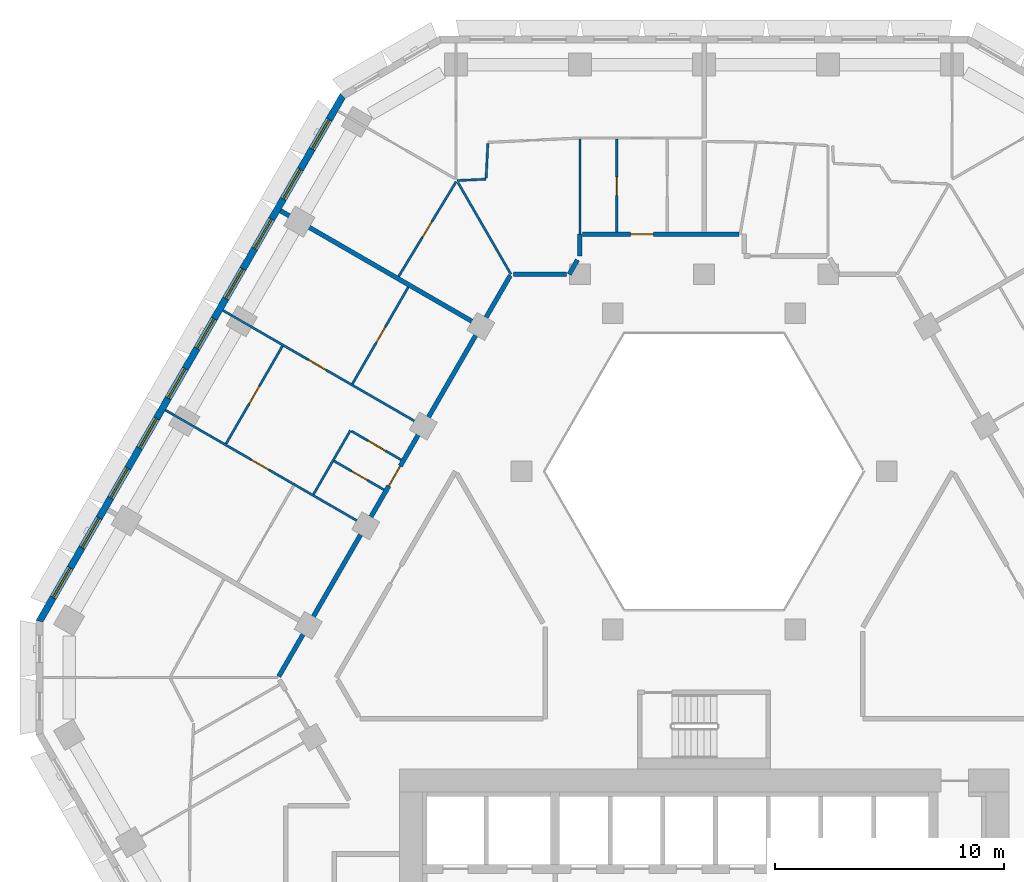
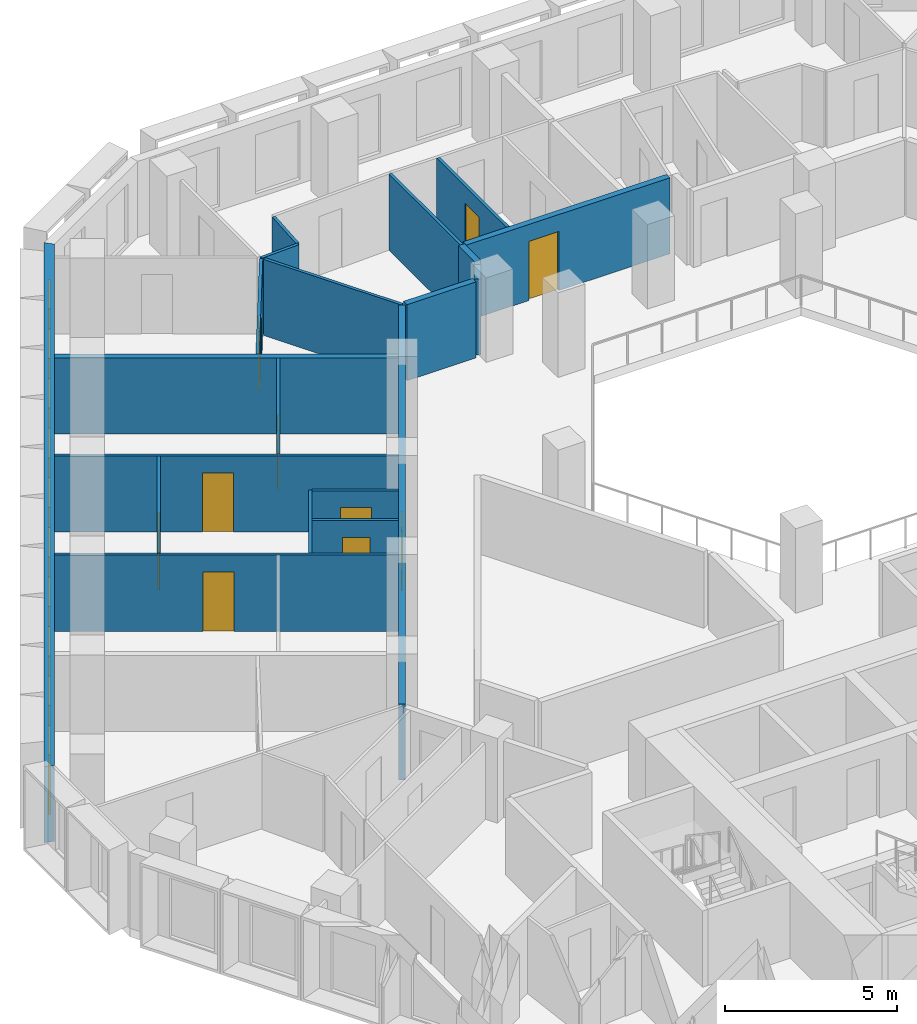
# One storey, part 8 of 18: 20 walls, 10 doors, 10 windows, 20 openings.
"""IFC4 building model written with IfcOpenShell, lengths in metres."""

from ifc_helpers import new_model, si_unit, direction, frame, frame_2d, origin, place, context, subcontext, project, spatial, polyline, rectangle, outline, extrude, material, layer, layer_set, type_object, element, fill, save


model = new_model("IFC4")

# Units and contexts
model_context = context("Model", 3, precision=1e-05, world=origin(), true_north=direction((0.0, 1.0)))
body_context = subcontext(model_context, "Body", "Model", "MODEL_VIEW")
ifc_project = project(units=[si_unit("LENGTHUNIT", "METRE"), si_unit("AREAUNIT", "SQUARE_METRE"), si_unit("VOLUMEUNIT", "CUBIC_METRE"), si_unit("PLANEANGLEUNIT", "RADIAN"), si_unit("MASSUNIT", "GRAM", prefix="KILO")], contexts=[model_context])

# Site, building, storey
site_placement = place(None, origin())
site = spatial("IfcSite", under=ifc_project, at=site_placement, CompositionType="ELEMENT")
building_placement = place(site_placement, origin())
building = spatial("IfcBuilding", under=site, at=building_placement, Name="Beryl Residences", CompositionType="ELEMENT")
storey_placement = place(building_placement, frame((0.0, 0.0, 87.0)))
storey = spatial("IfcBuildingStorey", under=building, at=storey_placement, Name="L26", CompositionType="ELEMENT", Elevation=87.0)

# Wall, openings, windows
ifc_material_1 = material(Name="Composite metal panel with mineral wool insulation")
ifc_layer_1 = layer(ifc_material_1, 0.300048828125)
ifc_layer_set_1 = layer_set([ifc_layer_1], Name="ES1 pale metal composite panel wall 300 mm")
wall_type_1 = type_object("IfcWallType", Name="ES1 pale metal composite panel wall 300 mm", PredefinedType="SOLIDWALL", material=ifc_layer_set_1)
wall_1_placement = place(storey_placement, frame((-15.7470703125, 24.425048828125, 0.0), z_axis=(0.0, 0.0, 1.0), x_axis=(-0.500027479704, -0.866009537788, 0.0)))
wall_1 = element("IfcWall", 1, at=wall_1_placement, inside=storey, type_object=wall_type_1, Name="ES1 external wall L26 NW", PredefinedType="SOLIDWALL", context=body_context, shape_type="SweptSolid", body=[
    extrude(outline(polyline([(0.0, -0.14990234375), (26.55859375, -0.14990234375), (26.478271484375, 0.14990234375), (0.080322265625, 0.14990234375), (0.0, -0.14990234375)])), origin(), (0.0, 0.0, 1.0), 2.699951171875),
])
opening_1_placement = place(wall_1_placement, frame((1.22705078125, 0.0, 0.14990234375)))
opening_1 = element("IfcOpeningElement", 2, at=opening_1_placement, cuts=wall_1, Name="Opening W1", PredefinedType="OPENING", context=body_context, shape_type="SweptSolid", body=[
    extrude(rectangle(XDim=1.5, YDim=2.10009765625, at=frame_2d((0.75, 1.050048828125))), frame((0.0, 0.159912109375, 0.0), z_axis=(0.0, -1.0, 0.0), x_axis=(1.0, 0.0, 0.0)), (0.0, 0.0, 1.0), 0.320068359375),
])
opening_2_placement = place(wall_1_placement, frame((3.739013671875, 0.0, 0.14990234375)))
opening_2 = element("IfcOpeningElement", 3, at=opening_2_placement, cuts=wall_1, Name="Opening W1", PredefinedType="OPENING", context=body_context, shape_type="SweptSolid", body=[
    extrude(rectangle(XDim=1.5, YDim=2.10009765625, at=frame_2d((0.75, 1.050048828125))), frame((0.0, 0.159912109375, 0.0), z_axis=(0.0, -1.0, 0.0), x_axis=(1.0, 0.0, 0.0)), (0.0, 0.0, 1.0), 0.320068359375),
])
opening_3_placement = place(wall_1_placement, frame((6.25, 0.0, 0.14990234375)))
opening_3 = element("IfcOpeningElement", 4, at=opening_3_placement, cuts=wall_1, Name="Opening W1", PredefinedType="OPENING", context=body_context, shape_type="SweptSolid", body=[
    extrude(rectangle(XDim=1.5, YDim=2.10009765625, at=frame_2d((0.75, 1.050048828125))), frame((0.0, 0.159912109375, 0.0), z_axis=(0.0, -1.0, 0.0), x_axis=(1.0, 0.0, 0.0)), (0.0, 0.0, 1.0), 0.320068359375),
])
opening_4_placement = place(wall_1_placement, frame((8.760986328125, 0.0, 0.14990234375)))
opening_4 = element("IfcOpeningElement", 5, at=opening_4_placement, cuts=wall_1, Name="Opening W1", PredefinedType="OPENING", context=body_context, shape_type="SweptSolid", body=[
    extrude(rectangle(XDim=1.5, YDim=2.10009765625, at=frame_2d((0.75, 1.050048828125))), frame((0.0, 0.159912109375, 0.0), z_axis=(0.0, -1.0, 0.0), x_axis=(1.0, 0.0, 0.0)), (0.0, 0.0, 1.0), 0.320068359375),
])
opening_5_placement = place(wall_1_placement, frame((11.27294921875, 0.0, 0.14990234375)))
opening_5 = element("IfcOpeningElement", 6, at=opening_5_placement, cuts=wall_1, Name="Opening W1", PredefinedType="OPENING", context=body_context, shape_type="SweptSolid", body=[
    extrude(rectangle(XDim=1.5, YDim=2.10009765625, at=frame_2d((0.75, 1.050048828125))), frame((0.0, 0.159912109375, 0.0), z_axis=(0.0, -1.0, 0.0), x_axis=(1.0, 0.0, 0.0)), (0.0, 0.0, 1.0), 0.320068359375),
])
opening_6_placement = place(wall_1_placement, frame((13.784912109375, 0.0, 0.14990234375)))
opening_6 = element("IfcOpeningElement", 7, at=opening_6_placement, cuts=wall_1, Name="Opening W1", PredefinedType="OPENING", context=body_context, shape_type="SweptSolid", body=[
    extrude(rectangle(XDim=1.5, YDim=2.10009765625, at=frame_2d((0.75, 1.050048828125))), frame((0.0, 0.159912109375, 0.0), z_axis=(0.0, -1.0, 0.0), x_axis=(1.0, 0.0, 0.0)), (0.0, 0.0, 1.0), 0.320068359375),
])
opening_7_placement = place(wall_1_placement, frame((16.2958984375, 0.0, 0.14990234375)))
opening_7 = element("IfcOpeningElement", 8, at=opening_7_placement, cuts=wall_1, Name="Opening W1", PredefinedType="OPENING", context=body_context, shape_type="SweptSolid", body=[
    extrude(rectangle(XDim=1.5, YDim=2.10009765625, at=frame_2d((0.75, 1.050048828125))), frame((0.0, 0.159912109375, 0.0), z_axis=(0.0, -1.0, 0.0), x_axis=(1.0, 0.0, 0.0)), (0.0, 0.0, 1.0), 0.320068359375),
])
opening_8_placement = place(wall_1_placement, frame((18.806884765625, 0.0, 0.14990234375)))
opening_8 = element("IfcOpeningElement", 9, at=opening_8_placement, cuts=wall_1, Name="Opening W1", PredefinedType="OPENING", context=body_context, shape_type="SweptSolid", body=[
    extrude(rectangle(XDim=1.5, YDim=2.10009765625, at=frame_2d((0.75, 1.050048828125))), frame((0.0, 0.159912109375, 0.0), z_axis=(0.0, -1.0, 0.0), x_axis=(1.0, 0.0, 0.0)), (0.0, 0.0, 1.0), 0.320068359375),
])
opening_9_placement = place(wall_1_placement, frame((21.319091796875, 0.0, 0.14990234375)))
opening_9 = element("IfcOpeningElement", 10, at=opening_9_placement, cuts=wall_1, Name="Opening W1", PredefinedType="OPENING", context=body_context, shape_type="SweptSolid", body=[
    extrude(rectangle(XDim=1.5, YDim=2.10009765625, at=frame_2d((0.75, 1.050048828125))), frame((0.0, 0.159912109375, 0.0), z_axis=(0.0, -1.0, 0.0), x_axis=(1.0, 0.0, 0.0)), (0.0, 0.0, 1.0), 0.320068359375),
])
opening_10_placement = place(wall_1_placement, frame((23.8310546875, 0.0, 0.14990234375)))
opening_10 = element("IfcOpeningElement", 11, at=opening_10_placement, cuts=wall_1, Name="Opening W1", PredefinedType="OPENING", context=body_context, shape_type="SweptSolid", body=[
    extrude(rectangle(XDim=1.5, YDim=2.10009765625, at=frame_2d((0.75, 1.050048828125))), frame((0.0, 0.159912109375, 0.0), z_axis=(0.0, -1.0, 0.0), x_axis=(1.0, 0.0, 0.0)), (0.0, 0.0, 1.0), 0.320068359375),
])
ifc_material_2 = material(Name="Aluminium and clear glass", Category="aluminium")
window_type = type_object("IfcWindowType", Name="W1 cell window 1500 x 2100 mm", PartitioningType="SINGLE_PANEL", PredefinedType="WINDOW", material=ifc_material_2)
window_1_placement = place(opening_1_placement, origin())
window_1 = element("IfcWindow", 12, at=window_1_placement, inside=storey, type_object=window_type, Name="W1 window L26 NW 1", OverallHeight=2.10009765625, OverallWidth=1.5, PartitioningType="SINGLE_PANEL", PredefinedType="WINDOW", context=body_context, shape_type="SweptSolid", body=[
    extrude(rectangle(XDim=1.5, YDim=2.10009765625, at=frame_2d((0.75, 1.050048828125))), frame((0.0, 0.030029296875, 0.0), z_axis=(0.0, -1.0, 0.0), x_axis=(1.0, 0.0, 0.0)), (0.0, 0.0, 1.0), 0.06005859375),
])
fill(opening_1, window_1)
window_2_placement = place(opening_2_placement, origin())
window_2 = element("IfcWindow", 13, at=window_2_placement, inside=storey, type_object=window_type, Name="W1 window L26 NW 2", OverallHeight=2.10009765625, OverallWidth=1.5, PartitioningType="SINGLE_PANEL", PredefinedType="WINDOW", context=body_context, shape_type="SweptSolid", body=[
    extrude(rectangle(XDim=1.5, YDim=2.10009765625, at=frame_2d((0.75, 1.050048828125))), frame((0.0, 0.030029296875, 0.0), z_axis=(0.0, -1.0, 0.0), x_axis=(1.0, 0.0, 0.0)), (0.0, 0.0, 1.0), 0.06005859375),
])
fill(opening_2, window_2)
window_3_placement = place(opening_3_placement, origin())
window_3 = element("IfcWindow", 14, at=window_3_placement, inside=storey, type_object=window_type, Name="W1 window L26 NW 3", OverallHeight=2.10009765625, OverallWidth=1.5, PartitioningType="SINGLE_PANEL", PredefinedType="WINDOW", context=body_context, shape_type="SweptSolid", body=[
    extrude(rectangle(XDim=1.5, YDim=2.10009765625, at=frame_2d((0.75, 1.050048828125))), frame((0.0, 0.030029296875, 0.0), z_axis=(0.0, -1.0, 0.0), x_axis=(1.0, 0.0, 0.0)), (0.0, 0.0, 1.0), 0.06005859375),
])
fill(opening_3, window_3)
window_4_placement = place(opening_4_placement, origin())
window_4 = element("IfcWindow", 15, at=window_4_placement, inside=storey, type_object=window_type, Name="W1 window L26 NW 4", OverallHeight=2.10009765625, OverallWidth=1.5, PartitioningType="SINGLE_PANEL", PredefinedType="WINDOW", context=body_context, shape_type="SweptSolid", body=[
    extrude(rectangle(XDim=1.5, YDim=2.10009765625, at=frame_2d((0.75, 1.050048828125))), frame((0.0, 0.030029296875, 0.0), z_axis=(0.0, -1.0, 0.0), x_axis=(1.0, 0.0, 0.0)), (0.0, 0.0, 1.0), 0.06005859375),
])
fill(opening_4, window_4)
window_5_placement = place(opening_5_placement, origin())
window_5 = element("IfcWindow", 16, at=window_5_placement, inside=storey, type_object=window_type, Name="W1 window L26 NW 5", OverallHeight=2.10009765625, OverallWidth=1.5, PartitioningType="SINGLE_PANEL", PredefinedType="WINDOW", context=body_context, shape_type="SweptSolid", body=[
    extrude(rectangle(XDim=1.5, YDim=2.10009765625, at=frame_2d((0.75, 1.050048828125))), frame((0.0, 0.030029296875, 0.0), z_axis=(0.0, -1.0, 0.0), x_axis=(1.0, 0.0, 0.0)), (0.0, 0.0, 1.0), 0.06005859375),
])
fill(opening_5, window_5)
window_6_placement = place(opening_6_placement, origin())
window_6 = element("IfcWindow", 17, at=window_6_placement, inside=storey, type_object=window_type, Name="W1 window L26 NW 6", OverallHeight=2.10009765625, OverallWidth=1.5, PartitioningType="SINGLE_PANEL", PredefinedType="WINDOW", context=body_context, shape_type="SweptSolid", body=[
    extrude(rectangle(XDim=1.5, YDim=2.10009765625, at=frame_2d((0.75, 1.050048828125))), frame((0.0, 0.030029296875, 0.0), z_axis=(0.0, -1.0, 0.0), x_axis=(1.0, 0.0, 0.0)), (0.0, 0.0, 1.0), 0.06005859375),
])
fill(opening_6, window_6)
window_7_placement = place(opening_7_placement, origin())
window_7 = element("IfcWindow", 18, at=window_7_placement, inside=storey, type_object=window_type, Name="W1 window L26 NW 7", OverallHeight=2.10009765625, OverallWidth=1.5, PartitioningType="SINGLE_PANEL", PredefinedType="WINDOW", context=body_context, shape_type="SweptSolid", body=[
    extrude(rectangle(XDim=1.5, YDim=2.10009765625, at=frame_2d((0.75, 1.050048828125))), frame((0.0, 0.030029296875, 0.0), z_axis=(0.0, -1.0, 0.0), x_axis=(1.0, 0.0, 0.0)), (0.0, 0.0, 1.0), 0.06005859375),
])
fill(opening_7, window_7)
window_8_placement = place(opening_8_placement, origin())
window_8 = element("IfcWindow", 19, at=window_8_placement, inside=storey, type_object=window_type, Name="W1 window L26 NW 8", OverallHeight=2.10009765625, OverallWidth=1.5, PartitioningType="SINGLE_PANEL", PredefinedType="WINDOW", context=body_context, shape_type="SweptSolid", body=[
    extrude(rectangle(XDim=1.5, YDim=2.10009765625, at=frame_2d((0.75, 1.050048828125))), frame((0.0, 0.030029296875, 0.0), z_axis=(0.0, -1.0, 0.0), x_axis=(1.0, 0.0, 0.0)), (0.0, 0.0, 1.0), 0.06005859375),
])
fill(opening_8, window_8)
window_9_placement = place(opening_9_placement, origin())
window_9 = element("IfcWindow", 20, at=window_9_placement, inside=storey, type_object=window_type, Name="W1 window L26 NW 9", OverallHeight=2.10009765625, OverallWidth=1.5, PartitioningType="SINGLE_PANEL", PredefinedType="WINDOW", context=body_context, shape_type="SweptSolid", body=[
    extrude(rectangle(XDim=1.5, YDim=2.10009765625, at=frame_2d((0.75, 1.050048828125))), frame((0.0, 0.030029296875, 0.0), z_axis=(0.0, -1.0, 0.0), x_axis=(1.0, 0.0, 0.0)), (0.0, 0.0, 1.0), 0.06005859375),
])
fill(opening_9, window_9)
window_10_placement = place(opening_10_placement, origin())
window_10 = element("IfcWindow", 21, at=window_10_placement, inside=storey, type_object=window_type, Name="W1 window L26 NW 10", OverallHeight=2.10009765625, OverallWidth=1.5, PartitioningType="SINGLE_PANEL", PredefinedType="WINDOW", context=body_context, shape_type="SweptSolid", body=[
    extrude(rectangle(XDim=1.5, YDim=2.10009765625, at=frame_2d((0.75, 1.050048828125))), frame((0.0, 0.030029296875, 0.0), z_axis=(0.0, -1.0, 0.0), x_axis=(1.0, 0.0, 0.0)), (0.0, 0.0, 1.0), 0.06005859375),
])
fill(opening_10, window_10)

# Wall
ifc_material_3 = material(Name="Gypsum board partition on steel studs", Category="steel")
ifc_layer_2 = layer(ifc_material_3, 0.10009765625)
ifc_layer_set_2 = layer_set([ifc_layer_2], Name="PT1 partition 100 mm gypsum board on steel studs")
wall_type_2 = type_object("IfcWallType", Name="PT1 partition 100 mm gypsum board on steel studs", PredefinedType="PARTITIONING", material=ifc_layer_set_2)
wall_2_placement = place(storey_placement, frame((-10.741943359375, 20.60595703125, 0.0), z_axis=(0.0, 0.0, 1.0), x_axis=(0.50003312339, -0.866006279142, 0.0)))
element("IfcWall", 22, at=wall_2_placement, inside=storey, type_object=wall_type_2, Name="Wall PT1 L26 005", PredefinedType="PARTITIONING", context=body_context, shape_type="SweptSolid", body=[
    extrude(rectangle(XDim=4.625732421875, YDim=0.10009765625, at=frame_2d((2.31298828125, 0.0))), origin(), (0.0, 0.0, 1.0), 2.699951171875),
])

# Wall, opening, door
wall_3_placement = place(storey_placement, frame((-16.14697265625, 8.451904296875, 0.0), z_axis=(0.0, 0.0, 1.0), x_axis=(0.866080321209, -0.499904868165, 0.0)))
wall_3 = element("IfcWall", 23, at=wall_3_placement, inside=storey, type_object=wall_type_2, Name="Wall PT1 L26 024", PredefinedType="PARTITIONING", context=body_context, shape_type="SweptSolid", body=[
    extrude(rectangle(XDim=2.51025390625, YDim=0.10009765625, at=frame_2d((1.255126953125, 0.0))), origin(), (0.0, 0.0, 1.0), 2.699951171875),
])
opening_11_placement = place(wall_3_placement, frame((0.8798828125, 0.0, 0.0)))
opening_11 = element("IfcOpeningElement", 24, at=opening_11_placement, cuts=wall_3, Name="Opening D0611", PredefinedType="OPENING", context=body_context, shape_type="SweptSolid", body=[
    extrude(rectangle(XDim=0.800048828125, YDim=2.10009765625, at=frame_2d((0.39990234375, 1.050048828125))), frame((0.0, 0.06005859375, 0.0), z_axis=(0.0, -1.0, 0.0), x_axis=(1.0, 0.0, 0.0)), (0.0, 0.0, 1.0), 0.1201171875),
])
ifc_material_4 = material(Name="Timber door leaf", Category="wood")
door_type_1 = type_object("IfcDoorType", Name="D3 bathroom door 800 x 2100 mm", OperationType="SINGLE_SWING_LEFT", PredefinedType="DOOR", material=ifc_material_4)
door_1_placement = place(opening_11_placement, origin())
door_1 = element("IfcDoor", 25, at=door_1_placement, inside=storey, type_object=door_type_1, Name="Door D0611 L26 001", OperationType="SINGLE_SWING_LEFT", OverallHeight=2.10009765625, OverallWidth=0.800048828125, PredefinedType="DOOR", context=body_context, shape_type="SweptSolid", body=[
    extrude(rectangle(XDim=0.800048828125, YDim=2.10009765625, at=frame_2d((0.39990234375, 1.050048828125))), frame((0.0, 0.02490234375, 0.0), z_axis=(0.0, -1.0, 0.0), x_axis=(1.0, 0.0, 0.0)), (0.0, 0.0, 1.0), 0.050048828125),
])
fill(opening_11, door_1)

wall_4_placement = place(storey_placement, frame((-23.512939453125, 10.675048828125, 0.0), z_axis=(0.0, 0.0, 1.0), x_axis=(0.866041268327, -0.499972520799, 0.0)))
wall_4 = element("IfcWall", 26, at=wall_4_placement, inside=storey, type_object=wall_type_2, Name="Wall PT1 L26 025", PredefinedType="PARTITIONING", context=body_context, shape_type="SweptSolid", body=[
    extrude(rectangle(XDim=10.00048828125, YDim=0.10009765625, at=frame_2d((5.000244140625, 0.0))), origin(), (0.0, 0.0, 1.0), 2.699951171875),
])
opening_12_placement = place(wall_4_placement, frame((4.324951171875, 0.0, 0.0)))
opening_12 = element("IfcOpeningElement", 27, at=opening_12_placement, cuts=wall_4, Name="Opening D0613", PredefinedType="OPENING", context=body_context, shape_type="SweptSolid", body=[
    extrude(rectangle(XDim=0.89990234375, YDim=2.10009765625, at=frame_2d((0.449951171875, 1.050048828125))), frame((0.0, 0.06005859375, 0.0), z_axis=(0.0, -1.0, 0.0), x_axis=(1.0, 0.0, 0.0)), (0.0, 0.0, 1.0), 0.1201171875),
])
ifc_material_5 = material(Name="Timber door leaf", Category="wood")
door_type_2 = type_object("IfcDoorType", Name="D2 room door 900 x 2100 mm", OperationType="SINGLE_SWING_LEFT", PredefinedType="DOOR", material=ifc_material_5)
door_2_placement = place(opening_12_placement, origin())
door_2 = element("IfcDoor", 28, at=door_2_placement, inside=storey, type_object=door_type_2, Name="Door D0613 L26 001", OperationType="SINGLE_SWING_LEFT", OverallHeight=2.10009765625, OverallWidth=0.89990234375, PredefinedType="DOOR", context=body_context, shape_type="SweptSolid", body=[
    extrude(rectangle(XDim=0.89990234375, YDim=2.10009765625, at=frame_2d((0.449951171875, 1.050048828125))), frame((0.0, 0.02490234375, 0.0), z_axis=(0.0, -1.0, 0.0), x_axis=(1.0, 0.0, 0.0)), (0.0, 0.0, 1.0), 0.050048828125),
])
fill(opening_12, door_2)

wall_5_placement = place(storey_placement, frame((-15.39306640625, 9.757080078125, 0.0), z_axis=(0.0, 0.0, 1.0), x_axis=(0.865940918122, -0.500146304917, 0.0)))
wall_5 = element("IfcWall", 29, at=wall_5_placement, inside=storey, type_object=wall_type_2, Name="Wall PT1 L26 027", PredefinedType="PARTITIONING", context=body_context, shape_type="SweptSolid", body=[
    extrude(rectangle(XDim=2.509521484375, YDim=0.10009765625, at=frame_2d((1.2548828125, 0.0))), origin(), (0.0, 0.0, 1.0), 2.699951171875),
])
opening_13_placement = place(wall_5_placement, frame((0.8291015625, 0.0, 0.0)))
opening_13 = element("IfcOpeningElement", 30, at=opening_13_placement, cuts=wall_5, Name="Opening D0610", PredefinedType="OPENING", context=body_context, shape_type="SweptSolid", body=[
    extrude(rectangle(XDim=0.89990234375, YDim=2.10009765625, at=frame_2d((0.449951171875, 1.050048828125))), frame((0.0, 0.06005859375, 0.0), z_axis=(0.0, -1.0, 0.0), x_axis=(1.0, 0.0, 0.0)), (0.0, 0.0, 1.0), 0.1201171875),
])
door_3_placement = place(opening_13_placement, origin())
door_3 = element("IfcDoor", 31, at=door_3_placement, inside=storey, type_object=door_type_2, Name="Door D0610 L26 001", OperationType="SINGLE_SWING_RIGHT", OverallHeight=2.10009765625, OverallWidth=0.89990234375, PredefinedType="DOOR", context=body_context, shape_type="SweptSolid", body=[
    extrude(rectangle(XDim=0.89990234375, YDim=2.10009765625, at=frame_2d((0.449951171875, 1.050048828125))), frame((0.0, 0.02490234375, 0.0), z_axis=(0.0, -1.0, 0.0), x_axis=(1.0, 0.0, 0.0)), (0.0, 0.0, 1.0), 0.050048828125),
])
fill(opening_13, door_3)

wall_6_placement = place(storey_placement, frame((-21.0009765625, 15.02490234375, 0.0), z_axis=(0.0, 0.0, 1.0), x_axis=(0.866016855193, -0.500014806302, 0.0)))
wall_6 = element("IfcWall", 32, at=wall_6_placement, inside=storey, type_object=wall_type_2, Name="Wall PT1 L26 029", PredefinedType="PARTITIONING", context=body_context, shape_type="SweptSolid", body=[
    extrude(rectangle(XDim=9.999755859375, YDim=0.10009765625, at=frame_2d((5.0, 0.0))), origin(), (0.0, 0.0, 1.0), 2.699951171875),
])
opening_14_placement = place(wall_6_placement, frame((4.304931640625, 0.0, 0.0)))
opening_14 = element("IfcOpeningElement", 33, at=opening_14_placement, cuts=wall_6, Name="Opening D0614", PredefinedType="OPENING", context=body_context, shape_type="SweptSolid", body=[
    extrude(rectangle(XDim=0.89990234375, YDim=2.10009765625, at=frame_2d((0.449951171875, 1.050048828125))), frame((0.0, 0.06005859375, 0.0), z_axis=(0.0, -1.0, 0.0), x_axis=(1.0, 0.0, 0.0)), (0.0, 0.0, 1.0), 0.1201171875),
])
door_4_placement = place(opening_14_placement, origin())
door_4 = element("IfcDoor", 34, at=door_4_placement, inside=storey, type_object=door_type_2, Name="Door D0614 L26 001", OperationType="SINGLE_SWING_RIGHT", OverallHeight=2.10009765625, OverallWidth=0.89990234375, PredefinedType="DOOR", context=body_context, shape_type="SweptSolid", body=[
    extrude(rectangle(XDim=0.89990234375, YDim=2.10009765625, at=frame_2d((0.449951171875, 1.050048828125))), frame((0.0, 0.02490234375, 0.0), z_axis=(0.0, -1.0, 0.0), x_axis=(1.0, 0.0, 0.0)), (0.0, 0.0, 1.0), 0.050048828125),
])
fill(opening_14, door_4)

wall_7_placement = place(storey_placement, frame((-13.327880859375, 16.510986328125, 0.0), z_axis=(0.0, 0.0, 1.0), x_axis=(0.518570528669, 0.855034857065, 0.0)))
wall_7 = element("IfcWall", 35, at=wall_7_placement, inside=storey, type_object=wall_type_2, Name="Wall PT1 L26 037", PredefinedType="PARTITIONING", context=body_context, shape_type="SweptSolid", body=[
    extrude(rectangle(XDim=4.830322265625, YDim=0.10009765625, at=frame_2d((2.4150390625, 0.0))), origin(), (0.0, 0.0, 1.0), 2.699951171875),
])
opening_15_placement = place(wall_7_placement, frame((1.9951171875, 0.0, 0.0)))
opening_15 = element("IfcOpeningElement", 36, at=opening_15_placement, cuts=wall_7, Name="Opening D0608", PredefinedType="OPENING", context=body_context, shape_type="SweptSolid", body=[
    extrude(rectangle(XDim=0.800048828125, YDim=2.10009765625, at=frame_2d((0.39990234375, 1.050048828125))), frame((0.0, 0.06005859375, 0.0), z_axis=(0.0, -1.0, 0.0), x_axis=(1.0, 0.0, 0.0)), (0.0, 0.0, 1.0), 0.1201171875),
])
door_5_placement = place(opening_15_placement, origin())
door_5 = element("IfcDoor", 37, at=door_5_placement, inside=storey, type_object=door_type_1, Name="Door D0608 L26 001", OperationType="SINGLE_SWING_RIGHT", OverallHeight=2.10009765625, OverallWidth=0.800048828125, PredefinedType="DOOR", context=body_context, shape_type="SweptSolid", body=[
    extrude(rectangle(XDim=0.800048828125, YDim=2.10009765625, at=frame_2d((0.39990234375, 1.050048828125))), frame((0.0, 0.02490234375, 0.0), z_axis=(0.0, -1.0, 0.0), x_axis=(1.0, 0.0, 0.0)), (0.0, 0.0, 1.0), 0.050048828125),
])
fill(opening_15, door_5)

# Wall
wall_8_placement = place(storey_placement, frame((-17.0439453125, 6.9990234375, 0.0), z_axis=(0.0, 0.0, 1.0), x_axis=(0.500176309913, 0.865923587277, 0.0)))
element("IfcWall", 38, at=wall_8_placement, inside=storey, type_object=wall_type_2, Name="Wall PT1 L26 042", PredefinedType="PARTITIONING", context=body_context, shape_type="SweptSolid", body=[
    extrude(rectangle(XDim=3.212646484375, YDim=0.10009765625, at=frame_2d((1.6064453125, 0.0))), origin(), (0.0, 0.0, 1.0), 2.699951171875),
])

# Wall, opening, door
wall_9_placement = place(storey_placement, frame((-15.346923828125, 11.819091796875, 0.0), z_axis=(0.0, 0.0, 1.0), x_axis=(0.499943653708, 0.866057932887, 0.0)))
wall_9 = element("IfcWall", 39, at=wall_9_placement, inside=storey, type_object=wall_type_2, Name="Wall PT1 L26 044", PredefinedType="PARTITIONING", context=body_context, shape_type="SweptSolid", body=[
    extrude(rectangle(XDim=4.87255859375, YDim=0.10009765625, at=frame_2d((2.436279296875, 0.0))), origin(), (0.0, 0.0, 1.0), 2.699951171875),
])
opening_16_placement = place(wall_9_placement, frame((2.06201171875, 0.0, 0.0)))
opening_16 = element("IfcOpeningElement", 40, at=opening_16_placement, cuts=wall_9, Name="Opening D0615", PredefinedType="OPENING", context=body_context, shape_type="SweptSolid", body=[
    extrude(rectangle(XDim=0.800048828125, YDim=2.10009765625, at=frame_2d((0.39990234375, 1.050048828125))), frame((0.0, 0.06005859375, 0.0), z_axis=(0.0, -1.0, 0.0), x_axis=(1.0, 0.0, 0.0)), (0.0, 0.0, 1.0), 0.1201171875),
])
door_6_placement = place(opening_16_placement, origin())
door_6 = element("IfcDoor", 41, at=door_6_placement, inside=storey, type_object=door_type_1, Name="Door D0615 L26 001", OperationType="SINGLE_SWING_LEFT", OverallHeight=2.10009765625, OverallWidth=0.800048828125, PredefinedType="DOOR", context=body_context, shape_type="SweptSolid", body=[
    extrude(rectangle(XDim=0.800048828125, YDim=2.10009765625, at=frame_2d((0.39990234375, 1.050048828125))), frame((0.0, 0.02490234375, 0.0), z_axis=(0.0, -1.0, 0.0), x_axis=(1.0, 0.0, 0.0)), (0.0, 0.0, 1.0), 0.050048828125),
])
fill(opening_16, door_6)

wall_10_placement = place(storey_placement, frame((-20.864013671875, 9.202880859375, 0.0), z_axis=(0.0, 0.0, 1.0), x_axis=(0.500000007376, 0.866025399526, 0.0)))
wall_10 = element("IfcWall", 42, at=wall_10_placement, inside=storey, type_object=wall_type_2, Name="Wall PT1 L26 045", PredefinedType="PARTITIONING", context=body_context, shape_type="SweptSolid", body=[
    extrude(rectangle(XDim=4.923828125, YDim=0.10009765625, at=frame_2d((2.4619140625, 0.0))), origin(), (0.0, 0.0, 1.0), 2.699951171875),
])
opening_17_placement = place(wall_10_placement, frame((2.011962890625, 0.0, 0.0)))
opening_17 = element("IfcOpeningElement", 43, at=opening_17_placement, cuts=wall_10, Name="Opening D0612", PredefinedType="OPENING", context=body_context, shape_type="SweptSolid", body=[
    extrude(rectangle(XDim=0.89990234375, YDim=2.10009765625, at=frame_2d((0.449951171875, 1.050048828125))), frame((0.0, 0.06005859375, 0.0), z_axis=(0.0, -1.0, 0.0), x_axis=(1.0, 0.0, 0.0)), (0.0, 0.0, 1.0), 0.1201171875),
])
door_7_placement = place(opening_17_placement, origin())
door_7 = element("IfcDoor", 44, at=door_7_placement, inside=storey, type_object=door_type_2, Name="Door D0612 L26 001", OperationType="SINGLE_SWING_RIGHT", OverallHeight=2.10009765625, OverallWidth=0.89990234375, PredefinedType="DOOR", context=body_context, shape_type="SweptSolid", body=[
    extrude(rectangle(XDim=0.89990234375, YDim=2.10009765625, at=frame_2d((0.449951171875, 1.050048828125))), frame((0.0, 0.02490234375, 0.0), z_axis=(0.0, -1.0, 0.0), x_axis=(1.0, 0.0, 0.0)), (0.0, 0.0, 1.0), 0.050048828125),
])
fill(opening_17, door_7)

# Wall
wall_11_placement = place(storey_placement, frame((-9.511962890625, 20.802978515625, 0.0), z_axis=(0.0, 0.0, 1.0), x_axis=(0.049089165168, 0.998794400196, 0.0)))
element("IfcWall", 45, at=wall_11_placement, inside=storey, type_object=wall_type_2, Name="Wall PT1 L26 051", PredefinedType="PARTITIONING", context=body_context, shape_type="SweptSolid", body=[
    extrude(rectangle(XDim=1.5068359375, YDim=0.10009765625, at=frame_2d((0.75341796875, 0.0))), origin(), (0.0, 0.0, 1.0), 2.699951171875),
])

# Wall, opening, door
wall_12_placement = place(storey_placement, frame((-3.806884765625, 18.449951171875, 0.0), z_axis=(0.0, 0.0, 1.0), x_axis=(0.0, 1.0, 0.0)))
wall_12 = element("IfcWall", 46, at=wall_12_placement, inside=storey, type_object=wall_type_2, Name="Wall PT1 L26 060", PredefinedType="PARTITIONING", context=body_context, shape_type="SweptSolid", body=[
    extrude(rectangle(XDim=4.050048828125, YDim=0.10009765625, at=frame_2d((2.02490234375, 0.0))), origin(), (0.0, 0.0, 1.0), 2.699951171875),
])
opening_18_placement = place(wall_12_placement, frame((1.60009765625, 0.0, 0.0)))
opening_18 = element("IfcOpeningElement", 47, at=opening_18_placement, cuts=wall_12, Name="Opening D0602", PredefinedType="OPENING", context=body_context, shape_type="SweptSolid", body=[
    extrude(rectangle(XDim=0.800048828125, YDim=2.10009765625, at=frame_2d((0.39990234375, 1.050048828125))), frame((0.0, 0.06005859375, 0.0), z_axis=(0.0, -1.0, 0.0), x_axis=(1.0, 0.0, 0.0)), (0.0, 0.0, 1.0), 0.1201171875),
])
door_8_placement = place(opening_18_placement, origin())
door_8 = element("IfcDoor", 48, at=door_8_placement, inside=storey, type_object=door_type_1, Name="Door D0602 L26 001", OperationType="SINGLE_SWING_RIGHT", OverallHeight=2.10009765625, OverallWidth=0.800048828125, PredefinedType="DOOR", context=body_context, shape_type="SweptSolid", body=[
    extrude(rectangle(XDim=0.800048828125, YDim=2.10009765625, at=frame_2d((0.39990234375, 1.050048828125))), frame((0.0, 0.02490234375, 0.0), z_axis=(0.0, -1.0, 0.0), x_axis=(1.0, 0.0, 0.0)), (0.0, 0.0, 1.0), 0.050048828125),
])
fill(opening_18, door_8)

# Walls
wall_13_placement = place(storey_placement, frame((-5.4140625, 18.35009765625, 0.0), z_axis=(0.0, 0.0, 1.0), x_axis=(0.0, 1.0, 0.0)))
element("IfcWall", 49, at=wall_13_placement, inside=storey, type_object=wall_type_2, Name="Wall PT1 L26 061", PredefinedType="PARTITIONING", context=body_context, shape_type="SweptSolid", body=[
    extrude(rectangle(XDim=4.14990234375, YDim=0.10009765625, at=frame_2d((2.074951171875, 0.0))), origin(), (0.0, 0.0, 1.0), 2.699951171875),
])
wall_14_placement = place(storey_placement, frame((-10.7919921875, 20.69189453125, 0.0), z_axis=(0.0, 0.0, 1.0), x_axis=(0.998861653202, 0.04770112957, 0.0)))
element("IfcWall", 50, at=wall_14_placement, inside=storey, type_object=wall_type_2, Name="Wall PT1 L26 067", PredefinedType="PARTITIONING", context=body_context, shape_type="SweptSolid", body=[
    extrude(rectangle(XDim=1.279541015625, YDim=0.10009765625, at=frame_2d((0.6396484375, 0.0))), origin(), (0.0, 0.0, 1.0), 2.699951171875),
])
ifc_material_6 = material(Name="Acoustic double stud gypsum board wall")
ifc_layer_3 = layer(ifc_material_6, 0.199951171875)
ifc_layer_set_3 = layer_set([ifc_layer_3], Name="PT3 party wall 200 mm acoustic double stud")
wall_type_3 = type_object("IfcWallType", Name="PT3 party wall 200 mm acoustic double stud", PredefinedType="PARTITIONING", material=ifc_layer_set_3)
wall_15_placement = place(storey_placement, frame((-18.489013671875, 19.375, 0.0), z_axis=(0.0, 0.0, 1.0), x_axis=(0.866016855193, -0.500014806302, 0.0)))
element("IfcWall", 51, at=wall_15_placement, inside=storey, type_object=wall_type_3, Name="Wall PT3 L26 004", PredefinedType="PARTITIONING", context=body_context, shape_type="SweptSolid", body=[
    extrude(rectangle(XDim=9.999755859375, YDim=0.199951171875, at=frame_2d((5.0, 0.0))), origin(), (0.0, 0.0, 1.0), 2.699951171875),
])
ifc_material_7 = material(Name="Double stud gypsum board wall")
ifc_layer_4 = layer(ifc_material_7, 0.199951171875)
ifc_layer_set_4 = layer_set([ifc_layer_4], Name="PT4 corridor wall 200 mm double stud")
wall_type_4 = type_object("IfcWallType", Name="PT4 corridor wall 200 mm double stud", PredefinedType="PARTITIONING", material=ifc_layer_set_4)
wall_16_placement = place(storey_placement, frame((-8.31396484375, 16.60009765625, 0.0), z_axis=(0.0, 0.0, 1.0), x_axis=(1.0, 0.0, 0.0)))
element("IfcWall", 52, at=wall_16_placement, inside=storey, type_object=wall_type_4, Name="Wall PT4 L26 019", PredefinedType="PARTITIONING", context=body_context, shape_type="SweptSolid", body=[
    extrude(rectangle(XDim=2.30908203125, YDim=0.199951171875, at=frame_2d((1.154541015625, 0.0))), origin(), (0.0, 0.0, 1.0), 2.699951171875),
])

# Wall, opening, door
wall_17_placement = place(storey_placement, frame((-5.31396484375, 18.35009765625, 0.0), z_axis=(0.0, 0.0, 1.0), x_axis=(1.0, 0.0, 0.0)))
wall_17 = element("IfcWall", 53, at=wall_17_placement, inside=storey, type_object=wall_type_4, Name="Wall PT4 L26 022", PredefinedType="PARTITIONING", context=body_context, shape_type="SweptSolid", body=[
    extrude(rectangle(XDim=6.833984375, YDim=0.199951171875, at=frame_2d((3.4169921875, 0.0))), origin(), (0.0, 0.0, 1.0), 2.699951171875),
])
opening_19_placement = place(wall_17_placement, frame((2.10595703125, 0.0, 0.0)))
opening_19 = element("IfcOpeningElement", 54, at=opening_19_placement, cuts=wall_17, Name="Opening D0601", PredefinedType="OPENING", context=body_context, shape_type="SweptSolid", body=[
    extrude(rectangle(XDim=1.0, YDim=2.10009765625, at=frame_2d((0.5, 1.050048828125))), frame((0.0, 0.10986328125, 0.0), z_axis=(0.0, -1.0, 0.0), x_axis=(1.0, 0.0, 0.0)), (0.0, 0.0, 1.0), 0.219970703125),
])
ifc_material_8 = material(Name="Timber door leaf", Category="wood")
door_type_3 = type_object("IfcDoorType", Name="D1 flat entrance door 1000 x 2100 mm", OperationType="SINGLE_SWING_LEFT", PredefinedType="DOOR", material=ifc_material_8)
door_9_placement = place(opening_19_placement, origin())
door_9 = element("IfcDoor", 55, at=door_9_placement, inside=storey, type_object=door_type_3, Name="Door D0601 L26 001", OperationType="SINGLE_SWING_LEFT", OverallHeight=2.10009765625, OverallWidth=1.0, PredefinedType="DOOR", context=body_context, shape_type="SweptSolid", body=[
    extrude(rectangle(XDim=1.0, YDim=2.10009765625, at=frame_2d((0.5, 1.050048828125))), frame((0.0, 0.02490234375, 0.0), z_axis=(0.0, -1.0, 0.0), x_axis=(1.0, 0.0, 0.0)), (0.0, 0.0, 1.0), 0.050048828125),
])
fill(opening_19, door_9)

# Wall
wall_18_placement = place(storey_placement, frame((-5.888916015625, 16.60009765625, 0.0), z_axis=(0.0, 0.0, 1.0), x_axis=(0.499839240638, 0.866118198353, 0.0)))
element("IfcWall", 56, at=wall_18_placement, inside=storey, type_object=wall_type_4, Name="Wall PT4 L26 027", PredefinedType="PARTITIONING", context=body_context, shape_type="SweptSolid", body=[
    extrude(rectangle(XDim=0.723876953125, YDim=0.199951171875, at=frame_2d((0.36181640625, 0.0))), origin(), (0.0, 0.0, 1.0), 2.699951171875),
])

# Wall, opening, door
wall_19_placement = place(storey_placement, frame((-18.56201171875, -0.950927734375, 0.0), z_axis=(0.0, 0.0, 1.0), x_axis=(0.499992962407, 0.866029466902, 0.0)))
wall_19 = element("IfcWall", 57, at=wall_19_placement, inside=storey, type_object=wall_type_4, Name="Wall PT4 L26 028", PredefinedType="PARTITIONING", context=body_context, shape_type="SweptSolid", body=[
    extrude(rectangle(XDim=20.208251953125, YDim=0.199951171875, at=frame_2d((10.10400390625, 0.0))), origin(), (0.0, 0.0, 1.0), 2.699951171875),
])
opening_20_placement = place(wall_19_placement, frame((9.60400390625, 0.0, 0.0)))
opening_20 = element("IfcOpeningElement", 58, at=opening_20_placement, cuts=wall_19, Name="Opening D0609", PredefinedType="OPENING", context=body_context, shape_type="SweptSolid", body=[
    extrude(rectangle(XDim=1.0, YDim=2.10009765625, at=frame_2d((0.5, 1.050048828125))), frame((0.0, 0.10986328125, 0.0), z_axis=(0.0, -1.0, 0.0), x_axis=(1.0, 0.0, 0.0)), (0.0, 0.0, 1.0), 0.219970703125),
])
door_10_placement = place(opening_20_placement, origin())
door_10 = element("IfcDoor", 59, at=door_10_placement, inside=storey, type_object=door_type_3, Name="Door D0609 L26 001", OperationType="SINGLE_SWING_LEFT", OverallHeight=2.10009765625, OverallWidth=1.0, PredefinedType="DOOR", context=body_context, shape_type="SweptSolid", body=[
    extrude(rectangle(XDim=1.0, YDim=2.10009765625, at=frame_2d((0.5, 1.050048828125))), frame((0.0, 0.02490234375, 0.0), z_axis=(0.0, -1.0, 0.0), x_axis=(1.0, 0.0, 0.0)), (0.0, 0.0, 1.0), 0.050048828125),
])
fill(opening_20, door_10)

# Wall
wall_20_placement = place(storey_placement, frame((-5.427001953125, 17.39990234375, 0.0), z_axis=(0.0, 0.0, 1.0), x_axis=(0.0, 1.0, 0.0)))
element("IfcWall", 60, at=wall_20_placement, inside=storey, type_object=wall_type_4, Name="Wall PT4 L26 031", PredefinedType="PARTITIONING", context=body_context, shape_type="SweptSolid", body=[
    extrude(rectangle(XDim=0.9501953125, YDim=0.199951171875, at=frame_2d((0.47509765625, 0.0))), origin(), (0.0, 0.0, 1.0), 2.699951171875),
])

save(model, "model.ifc")
